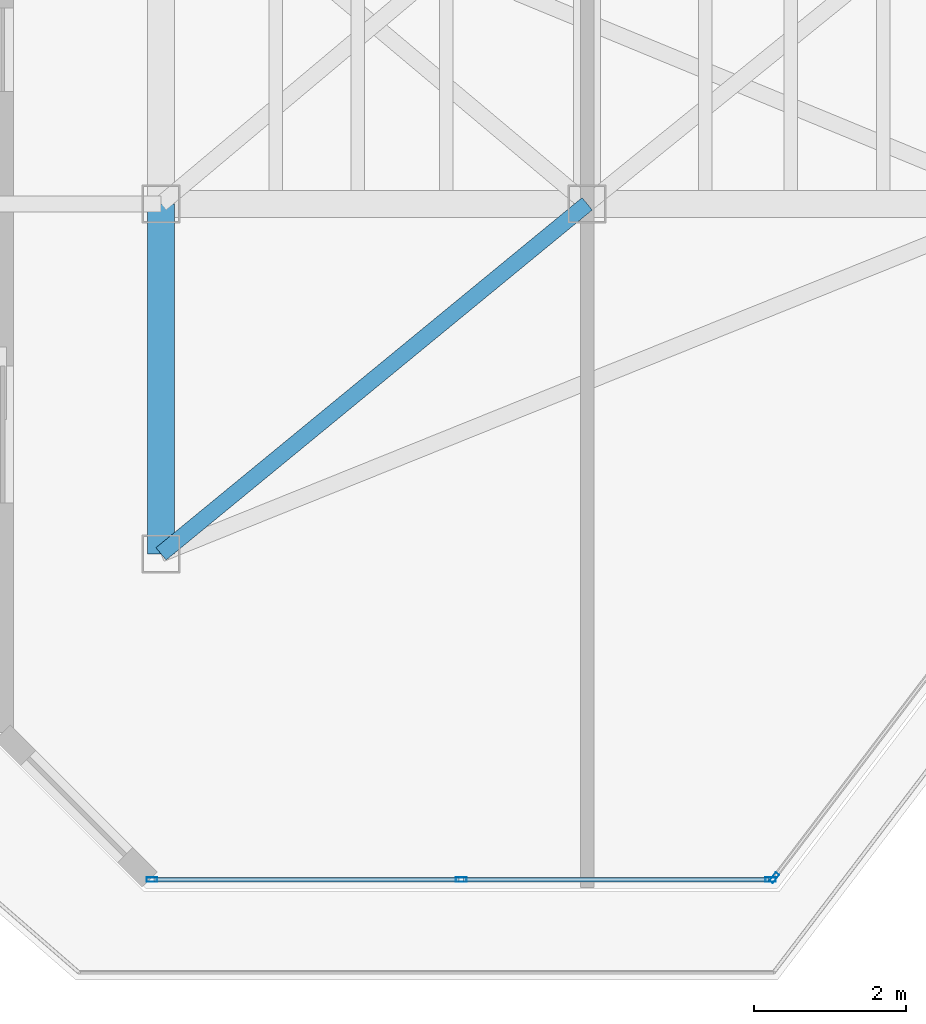
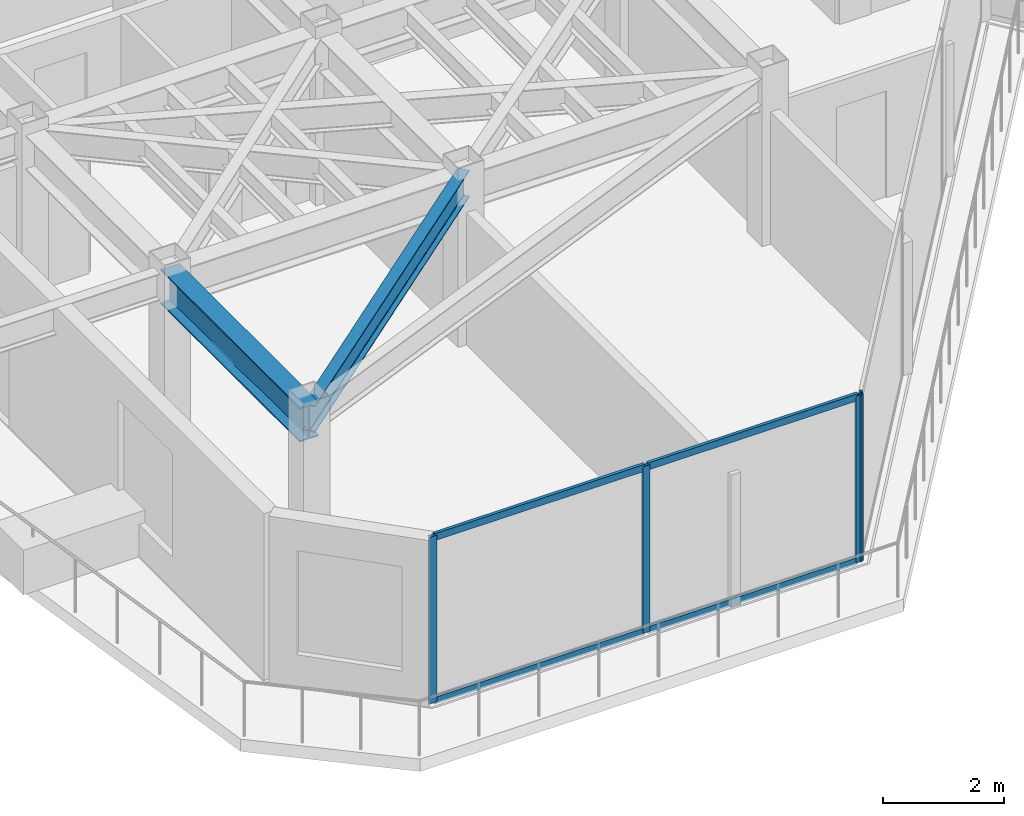
# One storey, part 2 of 20: 8 members, 2 beams, 2 elements without a shape of their own.
"""IFC4 building model written with IfcOpenShell, lengths in metres."""

import ifcopenshell
import ifcopenshell.guid

model = None  # the IFC model being written
_history = None  # IfcOwnerHistory: only IFC2X3 demands one
_inside = {}  # id of a spatial element -> (the spatial element, [elements in it])
_under = {}  # id of a project, library or spatial element -> (it, [spatial elements below it])
_declared = {}  # id of a project -> (the project, [libraries it declares])
_typed = {}  # id of a type object -> (the type object, [elements of that type])
_made_of = {}  # id of a material, layer set ... -> (it, [elements and type objects made of it])


def new_model(schema):
    """Start an empty IFC model of exactly this schema.

    Asked for "IFC4X3", IfcOpenShell would pick the latest addendum, in which some entities
    have other attributes; the version numbers below select the first issue.
    IFC2X3 requires an IfcOwnerHistory on every rooted entity: one is made here for all.
    """
    global model, _history
    if schema == "IFC4X3":
        model = ifcopenshell.file(schema_version=(4, 3, 0, 0))
    else:
        model = ifcopenshell.file(schema=schema)
    _inside.clear()
    _under.clear()
    _declared.clear()
    _typed.clear()
    _made_of.clear()
    _history = None
    if model.schema == "IFC2X3":
        org = make("IfcOrganization", Name="unknown")
        user = make(
            "IfcPersonAndOrganization",
            ThePerson=make("IfcPerson", FamilyName="unknown"),
            TheOrganization=org,
        )
        app = make(
            "IfcApplication",
            ApplicationDeveloper=org,
            Version="unknown",
            ApplicationFullName="unknown",
            ApplicationIdentifier="unknown",
        )
        _history = make(
            "IfcOwnerHistory",
            OwningUser=user,
            OwningApplication=app,
            ChangeAction="ADDED",
            CreationDate=0,
        )
    return model


def make(cls, **values):
    """One entity of the class cls with the attributes given. An attribute that is None is left unset."""
    return model.create_entity(
        cls, **{name: value for name, value in values.items() if value is not None}
    )


def rooted(cls, **values):
    """An entity with a GlobalId (a new one), such as an element, a storey or a relation."""
    return make(cls, GlobalId=ifcopenshell.guid.new(), OwnerHistory=_history, **values)


def si_unit(unit_type, name, prefix=None):
    """IfcSIUnit, for example si_unit("LENGTHUNIT", "METRE", prefix="MILLI")."""
    return make("IfcSIUnit", UnitType=unit_type, Prefix=prefix, Name=name)


def assignment(units):
    """IfcUnitAssignment: the units of a project."""
    return None if units is None else make("IfcUnitAssignment", Units=units)


def point(xyz):
    """IfcCartesianPoint."""
    return None if xyz is None else make("IfcCartesianPoint", Coordinates=xyz)


def direction(xyz):
    """IfcDirection."""
    return None if xyz is None else make("IfcDirection", DirectionRatios=xyz)


def frame(location, z_axis=None, x_axis=None):
    """IfcAxis2Placement3D, a coordinate frame: its origin and axes. An axis left out is left unset."""
    return make(
        "IfcAxis2Placement3D",
        Location=point(location),
        Axis=direction(z_axis),
        RefDirection=direction(x_axis),
    )


def frame_2d(location, x_axis=None):
    """IfcAxis2Placement2D, a coordinate frame in the plane: its origin and x axis."""
    return make(
        "IfcAxis2Placement2D", Location=point(location), RefDirection=direction(x_axis)
    )


def origin():
    """The frame at (0, 0, 0) with its axes left unset."""
    return frame((0.0, 0.0, 0.0))


def origin_2d():
    """The frame at (0, 0) in the plane with its x axis left unset."""
    return frame_2d((0.0, 0.0))


def place(relative_to, where):
    """IfcLocalPlacement: puts the frame where relative to a parent placement (None: the world)."""
    return make(
        "IfcLocalPlacement", PlacementRelTo=relative_to, RelativePlacement=where
    )


def context(
    kind, dimensions, precision=None, world=None, true_north=None, identifier=None
):
    """IfcGeometricRepresentationContext, for example the 3D "Model" context."""
    return make(
        "IfcGeometricRepresentationContext",
        ContextIdentifier=identifier,
        ContextType=kind,
        CoordinateSpaceDimension=dimensions,
        Precision=precision,
        WorldCoordinateSystem=world,
        TrueNorth=true_north,
    )


def subcontext(parent, identifier, kind, view, scale=None):
    """IfcGeometricRepresentationSubContext, for example "Body" below "Model"."""
    return make(
        "IfcGeometricRepresentationSubContext",
        ContextIdentifier=identifier,
        ContextType=kind,
        ParentContext=parent,
        TargetScale=scale,
        TargetView=view,
    )


def project(units=None, contexts=None):
    """IfcProject with its units and contexts."""
    return rooted(
        "IfcProject",
        Name="project",
        RepresentationContexts=contexts,
        UnitsInContext=assignment(units),
    )


def spatial(cls, under=None, at=None, **own):
    """A site, building, storey or space (cls), placed at a placement, below another one or the project."""
    s = rooted(cls, ObjectPlacement=at, **own)
    if under is not None:
        _under.setdefault(under.id(), (under, []))[1].append(s)
    return s


def profile(cls, at=None, kind="AREA", **sizes):
    """A parametric profile (cls). Its sizes go by their IFC names, for example OverallWidth=200.0."""
    return make(cls, ProfileType=kind, Position=at, **sizes)


def hollow_rectangle(**sizes):
    """IfcRectangleHollowProfileDef."""
    return profile("IfcRectangleHollowProfileDef", **sizes)


def i_section(**sizes):
    """IfcIShapeProfileDef."""
    return profile("IfcIShapeProfileDef", **sizes)


def extrude(swept, where, along, depth):
    """IfcExtrudedAreaSolid: the profile swept, set in the frame where, extruded along a direction by depth."""
    return make(
        "IfcExtrudedAreaSolid",
        SweptArea=swept,
        Position=where,
        ExtrudedDirection=direction(along),
        Depth=depth,
    )


def shape(context_of_items, identifier, shape_type, items):
    """IfcShapeRepresentation: the items that make up one representation, for example the "Body"."""
    return make(
        "IfcShapeRepresentation",
        ContextOfItems=context_of_items,
        RepresentationIdentifier=identifier,
        RepresentationType=shape_type,
        Items=items,
    )


def material(Name=None, Category=None):
    """IfcMaterial."""
    return make("IfcMaterial", Name=Name, Category=Category)


def layer(
    of_material, thickness, ventilated=None, Name=None, Category=None, Priority=None
):
    """IfcMaterialLayer: one layer of a wall or slab, of a material (None: an air gap)."""
    return make(
        "IfcMaterialLayer",
        Material=of_material,
        LayerThickness=thickness,
        IsVentilated=ventilated,
        Name=Name,
        Category=Category,
        Priority=Priority,
    )


def layer_set(layers, Name=None):
    """IfcMaterialLayerSet."""
    return make("IfcMaterialLayerSet", MaterialLayers=layers, LayerSetName=Name)


def material_profile(
    of_material, cross_section, Name=None, Category=None, Priority=None
):
    """IfcMaterialProfile: a cross section and its material."""
    return make(
        "IfcMaterialProfile",
        Name=Name,
        Material=of_material,
        Profile=cross_section,
        Priority=Priority,
        Category=Category,
    )


def profile_set(profiles, Name=None, composite=None):
    """IfcMaterialProfileSet."""
    return make(
        "IfcMaterialProfileSet",
        Name=Name,
        MaterialProfiles=profiles,
        CompositeProfile=composite,
    )


def made_of(thing, what):
    """Note that an element or type object is made of a material, layer set ...; save() writes the relation."""
    if what is not None:
        _made_of.setdefault(what.id(), (what, []))[1].append(thing)
    return thing


def type_object(cls, material=None, **own):
    """A type object (cls), such as IfcWallType, which elements share."""
    return made_of(rooted(cls, **own), material)


def element(
    cls,
    number,
    at=None,
    inside=None,
    cuts=None,
    type_object=None,
    material=None,
    context=None,
    identifier="Body",
    shape_type=None,
    held_by="IfcProductDefinitionShape",
    body=None,
    shapes=None,
    **own,
):
    """One element of the class cls, such as IfcWall. Its Tag is "e" and its number.

    at: its placement. inside: the storey or other place that contains it. cuts: it is an
    opening in that element (IfcRelVoidsElement). A single representation is given by context,
    identifier, shape_type and body (its items); several are given by shapes. held_by: the class
    of the entity that holds the representations. save() writes the other relations.
    """
    e = rooted(cls, Tag="e%d" % number, ObjectPlacement=at, **own)
    if body is not None:
        shapes = [shape(context, identifier, shape_type, body)]
    if shapes is not None:
        e.Representation = make(held_by, Representations=shapes)
    if inside is not None:
        _inside.setdefault(inside.id(), (inside, []))[1].append(e)
    if cuts is not None:
        rooted(
            "IfcRelVoidsElement", RelatingBuildingElement=cuts, RelatedOpeningElement=e
        )
    if type_object is not None:
        _typed.setdefault(type_object.id(), (type_object, []))[1].append(e)
    return made_of(e, material)


def aggregate(whole, parts):
    """IfcRelAggregates: a whole, such as a stair, and the parts it consists of."""
    return rooted("IfcRelAggregates", RelatingObject=whole, RelatedObjects=parts)


def save(model, path):
    """Write the relations noted so far, then the file.

    IfcRelAggregates (storeys below a building ...), IfcRelContainedInSpatialStructure (elements
    in a storey), IfcRelDefinesByType, IfcRelAssociatesMaterial and IfcRelDeclares: one each for
    every whole, place, type object, material and project.
    """
    for whole, parts in _under.values():
        aggregate(whole, parts)
    for where, things in _inside.values():
        rooted(
            "IfcRelContainedInSpatialStructure",
            RelatedElements=things,
            RelatingStructure=where,
        )
    for kind, things in _typed.values():
        rooted("IfcRelDefinesByType", RelatedObjects=things, RelatingType=kind)
    for what, things in _made_of.values():
        rooted("IfcRelAssociatesMaterial", RelatedObjects=things, RelatingMaterial=what)
    for by, libraries in _declared.values():
        rooted("IfcRelDeclares", RelatingContext=by, RelatedDefinitions=libraries)
    model.write(path)


model = new_model("IFC4")

# Units and contexts
model_context = context("Model", 3, precision=1e-05, world=origin(), true_north=direction((0.0, 1.0)))
body_context = subcontext(model_context, "Body", "Model", "MODEL_VIEW")
ifc_project = project(units=[si_unit("LENGTHUNIT", "METRE"), si_unit("AREAUNIT", "SQUARE_METRE"), si_unit("VOLUMEUNIT", "CUBIC_METRE"), si_unit("PLANEANGLEUNIT", "RADIAN"), si_unit("MASSUNIT", "GRAM", prefix="KILO")], contexts=[model_context])

# Site, building, storey
site_placement = place(None, origin())
site = spatial("IfcSite", under=ifc_project, at=site_placement, CompositionType="ELEMENT")
building_placement = place(site_placement, origin())
building = spatial("IfcBuilding", under=site, at=building_placement, Name="Kravanh Interchange Tower", CompositionType="ELEMENT")
storey_placement = place(building_placement, frame((0.0, 0.0, 245.39990234375)))
storey = spatial("IfcBuildingStorey", under=building, at=storey_placement, Name="L59", CompositionType="ELEMENT", Elevation=245.39990234375)

# Curtain wall, member
ifc_material_1 = material(Name="Anodised Bronze Aluminium", Category="aluminium")
ifc_layer = layer(ifc_material_1, 0.179931640625)
ifc_layer_set = layer_set([ifc_layer], Name="Unitised Curtain Wall System CW-HTL Luxury Hotel")
curtain_wall_type = type_object("IfcCurtainWallType", Name="Unitised Curtain Wall System CW-HTL Luxury Hotel", PredefinedType="NOTDEFINED", material=ifc_layer_set)
curtain_wall_1_placement = place(storey_placement, origin())
curtain_wall_1 = element("IfcCurtainWall", 1, at=curtain_wall_1_placement, inside=storey, type_object=curtain_wall_type, Name="L59 Unitised Curtain Wall CW-L59-05", PredefinedType="NOTDEFINED")
ifc_material_2 = material(Name="Anodised Bronze Aluminium", Category="aluminium")
ifc_material_profile_1 = material_profile(ifc_material_2, hollow_rectangle(XDim=0.06005859375, YDim=0.139892578125, WallThickness=0.00390625, at=origin_2d()), Name="ALU60X140X4")
ifc_profile_set_1 = profile_set([ifc_material_profile_1], Name="Anodised Bronze Aluminium")
member_type_1 = type_object("IfcMemberType", Name="Curtain Wall Mullion ALU60X140X4 Bronze", PredefinedType="MULLION", material=ifc_profile_set_1)
member_1_placement = place(storey_placement, frame((35.258544921875, 17.94384765625, 0.0), z_axis=(0.0, 0.0, 1.0), x_axis=(0.79616243806, -0.605082946564, 0.0)))
member_1 = element("IfcMember", 2, at=member_1_placement, type_object=member_type_1, Name="CW-HTL mullion 4", PredefinedType="MULLION", context=body_context, shape_type="SweptSolid", body=[
    extrude(hollow_rectangle(XDim=0.06005859375, YDim=0.139892578125, WallThickness=0.00390625, at=origin_2d()), origin(), (0.0, 0.0, 1.0), 3.360107421875),
])
aggregate(curtain_wall_1, [member_1])

# Curtain wall, members
curtain_wall_2_placement = place(storey_placement, origin())
curtain_wall_2 = element("IfcCurtainWall", 3, at=curtain_wall_2_placement, inside=storey, type_object=curtain_wall_type, Name="L59 Unitised Curtain Wall CW-L59-06", PredefinedType="NOTDEFINED")
member_2_placement = place(storey_placement, frame((35.21044921875, 17.919921875, 0.0), z_axis=(0.0, 0.0, 1.0), x_axis=(0.0, -1.0, 0.0)))
member_2 = element("IfcMember", 4, at=member_2_placement, type_object=member_type_1, Name="CW-HTL mullion 1", PredefinedType="MULLION", context=body_context, shape_type="SweptSolid", body=[
    extrude(hollow_rectangle(XDim=0.06005859375, YDim=0.139892578125, WallThickness=0.00390625, at=origin_2d()), origin(), (0.0, 0.0, 1.0), 3.360107421875),
])
member_3_placement = place(storey_placement, frame((31.14501953125, 17.919921875, 0.0), z_axis=(0.0, 0.0, 1.0), x_axis=(0.0, -1.0, 0.0)))
member_3 = element("IfcMember", 5, at=member_3_placement, type_object=member_type_1, Name="CW-HTL mullion 2", PredefinedType="MULLION", context=body_context, shape_type="SweptSolid", body=[
    extrude(hollow_rectangle(XDim=0.06005859375, YDim=0.139892578125, WallThickness=0.00390625, at=origin_2d()), origin(), (0.0, 0.0, 1.0), 3.360107421875),
])
member_4_placement = place(storey_placement, frame((27.07958984375, 17.919921875, 0.0), z_axis=(0.0, 0.0, 1.0), x_axis=(0.0, -1.0, 0.0)))
member_4 = element("IfcMember", 6, at=member_4_placement, type_object=member_type_1, Name="CW-HTL mullion 3", PredefinedType="MULLION", context=body_context, shape_type="SweptSolid", body=[
    extrude(hollow_rectangle(XDim=0.06005859375, YDim=0.139892578125, WallThickness=0.00390625, at=origin_2d()), origin(), (0.0, 0.0, 1.0), 3.360107421875),
])
ifc_material_3 = material(Name="Anodised Bronze Aluminium", Category="aluminium")
ifc_material_profile_2 = material_profile(ifc_material_3, hollow_rectangle(XDim=0.06005859375, YDim=0.139892578125, WallThickness=0.00390625, at=origin_2d()), Name="ALU60X140X4")
ifc_profile_set_2 = profile_set([ifc_material_profile_2], Name="Anodised Bronze Aluminium")
member_type_2 = type_object("IfcMemberType", Name="Curtain Wall Transom ALU60X140X4 Bronze", PredefinedType="USERDEFINED", material=ifc_profile_set_2)
member_5_placement = place(storey_placement, frame((35.180419921875, 17.919921875, 0.030029296875), z_axis=(-1.0, 0.0, 0.0), x_axis=(0.0, -1.0, 0.0)))
member_5 = element("IfcMember", 7, at=member_5_placement, type_object=member_type_2, Name="CW-HTL transom 1.1", ObjectType="TRANSOM", PredefinedType="USERDEFINED", context=body_context, shape_type="SweptSolid", body=[
    extrude(hollow_rectangle(XDim=0.06005859375, YDim=0.139892578125, WallThickness=0.00390625, at=origin_2d()), origin(), (0.0, 0.0, 1.0), 4.00537109375),
])
member_6_placement = place(storey_placement, frame((35.180419921875, 17.919921875, 3.330078125), z_axis=(-1.0, 0.0, 0.0), x_axis=(0.0, -1.0, 0.0)))
member_6 = element("IfcMember", 8, at=member_6_placement, type_object=member_type_2, Name="CW-HTL transom 1.2", ObjectType="TRANSOM", PredefinedType="USERDEFINED", context=body_context, shape_type="SweptSolid", body=[
    extrude(hollow_rectangle(XDim=0.06005859375, YDim=0.139892578125, WallThickness=0.00390625, at=origin_2d()), origin(), (0.0, 0.0, 1.0), 4.00537109375),
])
member_7_placement = place(storey_placement, frame((31.114990234375, 17.919921875, 0.030029296875), z_axis=(-1.0, 0.0, 0.0), x_axis=(0.0, -1.0, 0.0)))
member_7 = element("IfcMember", 9, at=member_7_placement, type_object=member_type_2, Name="CW-HTL transom 2.1", ObjectType="TRANSOM", PredefinedType="USERDEFINED", context=body_context, shape_type="SweptSolid", body=[
    extrude(hollow_rectangle(XDim=0.06005859375, YDim=0.139892578125, WallThickness=0.00390625, at=origin_2d()), origin(), (0.0, 0.0, 1.0), 4.00537109375),
])
member_8_placement = place(storey_placement, frame((31.114990234375, 17.919921875, 3.330078125), z_axis=(-1.0, 0.0, 0.0), x_axis=(0.0, -1.0, 0.0)))
member_8 = element("IfcMember", 10, at=member_8_placement, type_object=member_type_2, Name="CW-HTL transom 2.2", ObjectType="TRANSOM", PredefinedType="USERDEFINED", context=body_context, shape_type="SweptSolid", body=[
    extrude(hollow_rectangle(XDim=0.06005859375, YDim=0.139892578125, WallThickness=0.00390625, at=origin_2d()), origin(), (0.0, 0.0, 1.0), 4.00537109375),
])
aggregate(curtain_wall_2, [member_2, member_3, member_4, member_5, member_6, member_7, member_8])

# Beams
ifc_material_4 = material(Name="Structural Steel S355", Category="steel")
ifc_material_profile_3 = material_profile(ifc_material_4, i_section(OverallWidth=0.35498046875, OverallDepth=0.696044921875, WebThickness=0.015380859375, FlangeThickness=0.02490234375, FilletRadius=0.02392578125, at=origin_2d()), Name="W27X146")
ifc_profile_set_3 = profile_set([ifc_material_profile_3], Name="Structural Steel S355")
beam_type_1 = type_object("IfcBeamType", Name="Floor Beam W27X146 Structural Steel S355", PredefinedType="BEAM", material=ifc_profile_set_3)
beam_1_placement = place(storey_placement, frame((27.199951171875, 22.199951171875, 3.01220703125), z_axis=(0.0, 1.0, 0.0), x_axis=(-1.0, 0.0, 0.0)))
element("IfcBeam", 11, at=beam_1_placement, inside=storey, type_object=beam_type_1, Name="L59 Primary Floor Girder 40", PredefinedType="BEAM", context=body_context, shape_type="SweptSolid", body=[
    extrude(i_section(OverallWidth=0.35498046875, OverallDepth=0.696044921875, WebThickness=0.015380859375, FlangeThickness=0.02490234375, FilletRadius=0.02392578125, at=origin_2d()), origin(), (0.0, 0.0, 1.0), 4.60009765625),
])
ifc_material_5 = material(Name="Structural Steel S355", Category="steel")
ifc_material_profile_4 = material_profile(ifc_material_5, i_section(OverallWidth=0.2099609375, OverallDepth=0.537109375, WebThickness=0.010986328125, FlangeThickness=0.017333984375, FilletRadius=0.02001953125, at=origin_2d()), Name="W21X68")
ifc_profile_set_4 = profile_set([ifc_material_profile_4], Name="Structural Steel S355")
beam_type_2 = type_object("IfcBeamType", Name="Floor Spandrel W21X68 Structural Steel S355", PredefinedType="SPANDREL", material=ifc_profile_set_4)
beam_2_placement = place(storey_placement, frame((27.199951171875, 22.199951171875, 3.091552734375), z_axis=(0.772725074305, 0.634740860147, 0.0), x_axis=(-0.634740860147, 0.772725074305, 0.0)))
element("IfcBeam", 12, at=beam_2_placement, inside=storey, type_object=beam_type_2, Name="L59 Perimeter Spandrel 41", PredefinedType="SPANDREL", context=body_context, shape_type="SweptSolid", body=[
    extrude(i_section(OverallWidth=0.2099609375, OverallDepth=0.537109375, WebThickness=0.010986328125, FlangeThickness=0.017333984375, FilletRadius=0.02001953125, at=origin_2d()), origin(), (0.0, 0.0, 1.0), 7.247314453125),
])

save(model, "model.ifc")
